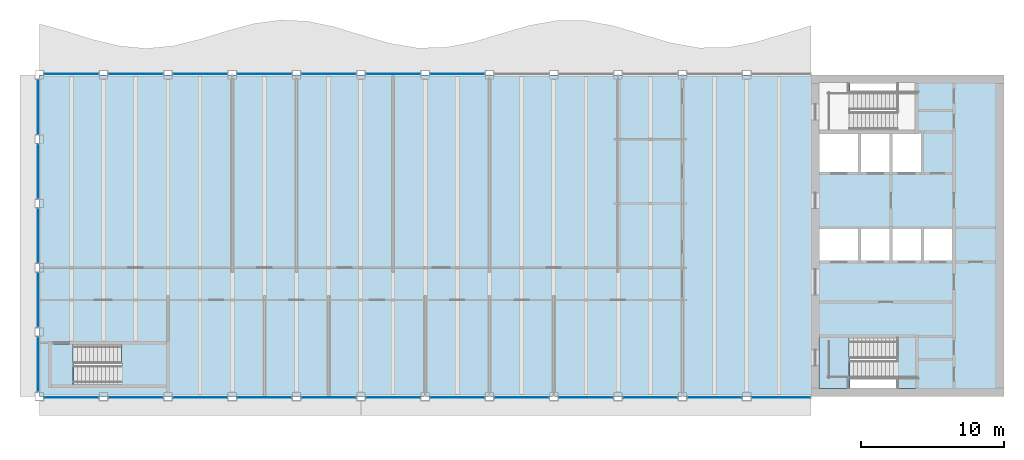
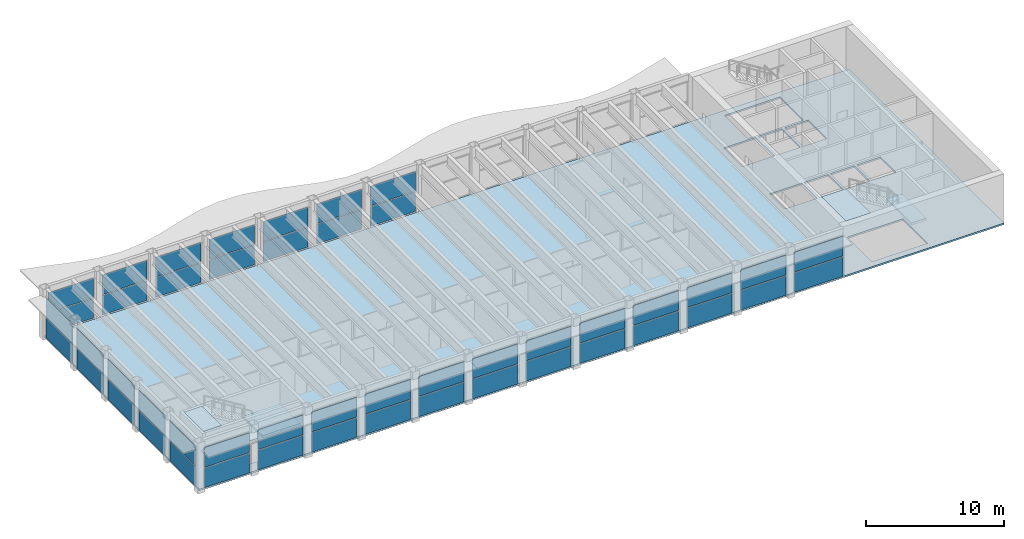
# One storey, part 7 of 14: 48 plates, 5 slabs, 26 elements without a shape of their own.
"""IFC4 building model written with IfcOpenShell, lengths in metres."""

from ifc_helpers import new_model, si_unit, direction, frame, origin, origin_2d, place, context, subcontext, project, spatial, polyline, rectangle, outline, extrude, material, layer, layer_set, type_object, element, aggregate, save


model = new_model("IFC4")

# Units and contexts
model_context = context("Model", 3, precision=1e-05, world=origin(), true_north=direction((0.0, 1.0)))
body_context = subcontext(model_context, "Body", "Model", "MODEL_VIEW")
ifc_project = project(units=[si_unit("LENGTHUNIT", "METRE"), si_unit("AREAUNIT", "SQUARE_METRE"), si_unit("VOLUMEUNIT", "CUBIC_METRE"), si_unit("PLANEANGLEUNIT", "RADIAN"), si_unit("MASSUNIT", "GRAM", prefix="KILO")], contexts=[model_context])

# Site, building, storey
site_placement = place(None, origin())
site = spatial("IfcSite", under=ifc_project, at=site_placement, CompositionType="ELEMENT")
building_placement = place(site_placement, origin())
building = spatial("IfcBuilding", under=site, at=building_placement, Name="Sennacour Bend Tower", CompositionType="ELEMENT")
storey_placement = place(building_placement, frame((0.0, 0.0, 336.5)))
storey = spatial("IfcBuildingStorey", under=building, at=storey_placement, Name="L77", CompositionType="ELEMENT", Elevation=336.5)

# Slab
ifc_material_1 = material(Name="Concrete C30/37", Category="concrete")
ifc_layer_1 = layer(ifc_material_1, 0.14990234375, Name="Concrete C30/37", Category="concrete")
ifc_layer_set_1 = layer_set([ifc_layer_1], Name="Concrete C30/37")
slab_type_1 = type_object("IfcSlabType", Name="Floor slab 150", PredefinedType="FLOOR", material=ifc_layer_set_1)
slab_1_placement = place(storey_placement, frame((0.0, 0.0, -0.14990234375)))
element("IfcSlab", 1, at=slab_1_placement, inside=storey, type_object=slab_type_1, Name="Floor slab L77-01", PredefinedType="FLOOR", context=body_context, shape_type="SweptSolid", body=[
    extrude(outline(polyline([(0.0, 22.5), (22.5, 22.5), (54.0, 22.5), (67.5, 22.5), (67.5, 0.0), (54.0, 0.0), (22.5, 0.0), (0.0, 0.0), (0.0, 22.5)]), holes=[polyline([(8.800048828125, 3.5), (2.429931640625, 3.5), (2.429931640625, 0.949951171875), (8.800048828125, 0.949951171875), (8.800048828125, 3.5)]), polyline([(61.39990234375, 4.125), (56.72998046875, 4.125), (56.72998046875, 0.550048828125), (61.39990234375, 0.550048828125), (61.39990234375, 4.125)]), polyline([(57.300048828125, 11.699951171875), (54.60009765625, 11.699951171875), (54.60009765625, 9.5), (57.300048828125, 9.5), (57.300048828125, 11.699951171875)]), polyline([(59.5, 9.5), (59.5, 11.699951171875), (57.5, 11.699951171875), (57.5, 9.5), (59.5, 9.5)]), polyline([(61.699951171875, 9.5), (61.699951171875, 11.699951171875), (59.699951171875, 11.699951171875), (59.699951171875, 9.5), (61.699951171875, 9.5)]), polyline([(63.89990234375, 11.699951171875), (61.89990234375, 11.699951171875), (61.89990234375, 9.5), (63.89990234375, 9.5), (63.89990234375, 11.699951171875)]), polyline([(57.300048828125, 18.39990234375), (54.60009765625, 18.39990234375), (54.60009765625, 15.699951171875), (57.300048828125, 15.699951171875), (57.300048828125, 18.39990234375)]), polyline([(59.5, 18.39990234375), (57.5, 18.39990234375), (57.5, 15.699951171875), (59.5, 15.699951171875), (59.5, 18.39990234375)]), polyline([(61.699951171875, 15.699951171875), (61.699951171875, 18.39990234375), (59.699951171875, 18.39990234375), (59.699951171875, 15.699951171875), (61.699951171875, 15.699951171875)]), polyline([(61.39990234375, 18.574951171875), (61.39990234375, 21.949951171875), (56.72998046875, 21.949951171875), (56.72998046875, 18.574951171875), (61.39990234375, 18.574951171875)])]), origin(), (0.0, 0.0, 1.0), 0.14990234375),
])

# Curtain wall, plates
ifc_material_2 = material(Name="Bronze anodised aluminium curtain wall with clear glass", Category="aluminium")
curtain_wall_type = type_object("IfcCurtainWallType", Name="CURTAIN WALL EXEC", PredefinedType="NOTDEFINED", material=ifc_material_2)
curtain_wall_1_placement = place(storey_placement, origin())
curtain_wall_1 = element("IfcCurtainWall", 2, at=curtain_wall_1_placement, inside=storey, type_object=curtain_wall_type, Name="Executive floor glass wall L77", PredefinedType="NOTDEFINED")
ifc_material_3 = material(Name="Clear low-emissivity glass", Category="glass")
ifc_layer_2 = layer(ifc_material_3, 0.031982421875, Name="Clear low-emissivity glass", Category="glass")
ifc_layer_set_2 = layer_set([ifc_layer_2], Name="Clear low-emissivity glass")
plate_type = type_object("IfcPlateType", Name="PNL-GLASS-IGU32", PredefinedType="CURTAIN_PANEL", material=ifc_layer_set_2)
plate_1_placement = place(storey_placement, frame((2.25, -0.074951171875, 0.06005859375), z_axis=(0.0, 0.0, 1.0), x_axis=(1.0, 0.0, 0.0)))
plate_1 = element("IfcPlate", 3, at=plate_1_placement, type_object=plate_type, Name="GW3 curtain wall panel 1.1", PredefinedType="CURTAIN_PANEL", context=body_context, shape_type="SweptSolid", body=[
    extrude(rectangle(XDim=3.780029296875, YDim=0.031982421875, at=origin_2d()), origin(), (0.0, 0.0, 1.0), 1.74609375),
])
plate_2_placement = place(storey_placement, frame((2.25, -0.074951171875, 1.865966796875), z_axis=(0.0, 0.0, 1.0), x_axis=(1.0, 0.0, 0.0)))
plate_2 = element("IfcPlate", 4, at=plate_2_placement, type_object=plate_type, Name="GW3 curtain wall panel 1.2", PredefinedType="CURTAIN_PANEL", context=body_context, shape_type="SweptSolid", body=[
    extrude(rectangle(XDim=3.780029296875, YDim=0.031982421875, at=origin_2d()), origin(), (0.0, 0.0, 1.0), 1.74609375),
])
aggregate(curtain_wall_1, [plate_1, plate_2])

curtain_wall_2_placement = place(storey_placement, origin())
curtain_wall_2 = element("IfcCurtainWall", 5, at=curtain_wall_2_placement, inside=storey, type_object=curtain_wall_type, Name="Executive floor glass wall L77", PredefinedType="NOTDEFINED")
plate_3_placement = place(storey_placement, frame((6.75, -0.074951171875, 0.06005859375), z_axis=(0.0, 0.0, 1.0), x_axis=(1.0, 0.0, 0.0)))
plate_3 = element("IfcPlate", 6, at=plate_3_placement, type_object=plate_type, Name="GW3 curtain wall panel 1.1", PredefinedType="CURTAIN_PANEL", context=body_context, shape_type="SweptSolid", body=[
    extrude(rectangle(XDim=3.780029296875, YDim=0.031982421875, at=origin_2d()), origin(), (0.0, 0.0, 1.0), 1.74609375),
])
plate_4_placement = place(storey_placement, frame((6.75, -0.074951171875, 1.865966796875), z_axis=(0.0, 0.0, 1.0), x_axis=(1.0, 0.0, 0.0)))
plate_4 = element("IfcPlate", 7, at=plate_4_placement, type_object=plate_type, Name="GW3 curtain wall panel 1.2", PredefinedType="CURTAIN_PANEL", context=body_context, shape_type="SweptSolid", body=[
    extrude(rectangle(XDim=3.780029296875, YDim=0.031982421875, at=origin_2d()), origin(), (0.0, 0.0, 1.0), 1.74609375),
])
aggregate(curtain_wall_2, [plate_3, plate_4])

curtain_wall_3_placement = place(storey_placement, origin())
curtain_wall_3 = element("IfcCurtainWall", 8, at=curtain_wall_3_placement, inside=storey, type_object=curtain_wall_type, Name="Executive floor glass wall L77", PredefinedType="NOTDEFINED")
plate_5_placement = place(storey_placement, frame((11.25, -0.074951171875, 0.06005859375), z_axis=(0.0, 0.0, 1.0), x_axis=(1.0, 0.0, 0.0)))
plate_5 = element("IfcPlate", 9, at=plate_5_placement, type_object=plate_type, Name="GW3 curtain wall panel 1.1", PredefinedType="CURTAIN_PANEL", context=body_context, shape_type="SweptSolid", body=[
    extrude(rectangle(XDim=3.780029296875, YDim=0.031982421875, at=origin_2d()), origin(), (0.0, 0.0, 1.0), 1.74609375),
])
plate_6_placement = place(storey_placement, frame((11.25, -0.074951171875, 1.865966796875), z_axis=(0.0, 0.0, 1.0), x_axis=(1.0, 0.0, 0.0)))
plate_6 = element("IfcPlate", 10, at=plate_6_placement, type_object=plate_type, Name="GW3 curtain wall panel 1.2", PredefinedType="CURTAIN_PANEL", context=body_context, shape_type="SweptSolid", body=[
    extrude(rectangle(XDim=3.780029296875, YDim=0.031982421875, at=origin_2d()), origin(), (0.0, 0.0, 1.0), 1.74609375),
])
aggregate(curtain_wall_3, [plate_5, plate_6])

curtain_wall_4_placement = place(storey_placement, origin())
curtain_wall_4 = element("IfcCurtainWall", 11, at=curtain_wall_4_placement, inside=storey, type_object=curtain_wall_type, Name="Executive floor glass wall L77", PredefinedType="NOTDEFINED")
plate_7_placement = place(storey_placement, frame((15.75, -0.074951171875, 0.06005859375), z_axis=(0.0, 0.0, 1.0), x_axis=(1.0, 0.0, 0.0)))
plate_7 = element("IfcPlate", 12, at=plate_7_placement, type_object=plate_type, Name="GW3 curtain wall panel 1.1", PredefinedType="CURTAIN_PANEL", context=body_context, shape_type="SweptSolid", body=[
    extrude(rectangle(XDim=3.780029296875, YDim=0.031982421875, at=origin_2d()), origin(), (0.0, 0.0, 1.0), 1.74609375),
])
plate_8_placement = place(storey_placement, frame((15.75, -0.074951171875, 1.865966796875), z_axis=(0.0, 0.0, 1.0), x_axis=(1.0, 0.0, 0.0)))
plate_8 = element("IfcPlate", 13, at=plate_8_placement, type_object=plate_type, Name="GW3 curtain wall panel 1.2", PredefinedType="CURTAIN_PANEL", context=body_context, shape_type="SweptSolid", body=[
    extrude(rectangle(XDim=3.780029296875, YDim=0.031982421875, at=origin_2d()), origin(), (0.0, 0.0, 1.0), 1.74609375),
])
aggregate(curtain_wall_4, [plate_7, plate_8])

curtain_wall_5_placement = place(storey_placement, origin())
curtain_wall_5 = element("IfcCurtainWall", 14, at=curtain_wall_5_placement, inside=storey, type_object=curtain_wall_type, Name="Executive floor glass wall L77", PredefinedType="NOTDEFINED")
plate_9_placement = place(storey_placement, frame((20.25, -0.074951171875, 0.06005859375), z_axis=(0.0, 0.0, 1.0), x_axis=(1.0, 0.0, 0.0)))
plate_9 = element("IfcPlate", 15, at=plate_9_placement, type_object=plate_type, Name="GW3 curtain wall panel 1.1", PredefinedType="CURTAIN_PANEL", context=body_context, shape_type="SweptSolid", body=[
    extrude(rectangle(XDim=3.780029296875, YDim=0.031982421875, at=origin_2d()), origin(), (0.0, 0.0, 1.0), 1.74609375),
])
plate_10_placement = place(storey_placement, frame((20.25, -0.074951171875, 1.865966796875), z_axis=(0.0, 0.0, 1.0), x_axis=(1.0, 0.0, 0.0)))
plate_10 = element("IfcPlate", 16, at=plate_10_placement, type_object=plate_type, Name="GW3 curtain wall panel 1.2", PredefinedType="CURTAIN_PANEL", context=body_context, shape_type="SweptSolid", body=[
    extrude(rectangle(XDim=3.780029296875, YDim=0.031982421875, at=origin_2d()), origin(), (0.0, 0.0, 1.0), 1.74609375),
])
aggregate(curtain_wall_5, [plate_9, plate_10])

curtain_wall_6_placement = place(storey_placement, origin())
curtain_wall_6 = element("IfcCurtainWall", 17, at=curtain_wall_6_placement, inside=storey, type_object=curtain_wall_type, Name="Executive floor glass wall L77", PredefinedType="NOTDEFINED")
plate_11_placement = place(storey_placement, frame((24.75, -0.074951171875, 0.06005859375), z_axis=(0.0, 0.0, 1.0), x_axis=(1.0, 0.0, 0.0)))
plate_11 = element("IfcPlate", 18, at=plate_11_placement, type_object=plate_type, Name="GW3 curtain wall panel 1.1", PredefinedType="CURTAIN_PANEL", context=body_context, shape_type="SweptSolid", body=[
    extrude(rectangle(XDim=3.780029296875, YDim=0.031982421875, at=origin_2d()), origin(), (0.0, 0.0, 1.0), 1.74609375),
])
plate_12_placement = place(storey_placement, frame((24.75, -0.074951171875, 1.865966796875), z_axis=(0.0, 0.0, 1.0), x_axis=(1.0, 0.0, 0.0)))
plate_12 = element("IfcPlate", 19, at=plate_12_placement, type_object=plate_type, Name="GW3 curtain wall panel 1.2", PredefinedType="CURTAIN_PANEL", context=body_context, shape_type="SweptSolid", body=[
    extrude(rectangle(XDim=3.780029296875, YDim=0.031982421875, at=origin_2d()), origin(), (0.0, 0.0, 1.0), 1.74609375),
])
aggregate(curtain_wall_6, [plate_11, plate_12])

curtain_wall_7_placement = place(storey_placement, origin())
curtain_wall_7 = element("IfcCurtainWall", 20, at=curtain_wall_7_placement, inside=storey, type_object=curtain_wall_type, Name="Executive floor glass wall L77", PredefinedType="NOTDEFINED")
plate_13_placement = place(storey_placement, frame((29.25, -0.074951171875, 0.06005859375), z_axis=(0.0, 0.0, 1.0), x_axis=(1.0, 0.0, 0.0)))
plate_13 = element("IfcPlate", 21, at=plate_13_placement, type_object=plate_type, Name="GW3 curtain wall panel 1.1", PredefinedType="CURTAIN_PANEL", context=body_context, shape_type="SweptSolid", body=[
    extrude(rectangle(XDim=3.780029296875, YDim=0.031982421875, at=origin_2d()), origin(), (0.0, 0.0, 1.0), 1.74609375),
])
plate_14_placement = place(storey_placement, frame((29.25, -0.074951171875, 1.865966796875), z_axis=(0.0, 0.0, 1.0), x_axis=(1.0, 0.0, 0.0)))
plate_14 = element("IfcPlate", 22, at=plate_14_placement, type_object=plate_type, Name="GW3 curtain wall panel 1.2", PredefinedType="CURTAIN_PANEL", context=body_context, shape_type="SweptSolid", body=[
    extrude(rectangle(XDim=3.780029296875, YDim=0.031982421875, at=origin_2d()), origin(), (0.0, 0.0, 1.0), 1.74609375),
])
aggregate(curtain_wall_7, [plate_13, plate_14])

curtain_wall_8_placement = place(storey_placement, origin())
curtain_wall_8 = element("IfcCurtainWall", 23, at=curtain_wall_8_placement, inside=storey, type_object=curtain_wall_type, Name="Executive floor glass wall L77", PredefinedType="NOTDEFINED")
plate_15_placement = place(storey_placement, frame((33.75, -0.074951171875, 0.06005859375), z_axis=(0.0, 0.0, 1.0), x_axis=(1.0, 0.0, 0.0)))
plate_15 = element("IfcPlate", 24, at=plate_15_placement, type_object=plate_type, Name="GW3 curtain wall panel 1.1", PredefinedType="CURTAIN_PANEL", context=body_context, shape_type="SweptSolid", body=[
    extrude(rectangle(XDim=3.780029296875, YDim=0.031982421875, at=origin_2d()), origin(), (0.0, 0.0, 1.0), 1.74609375),
])
plate_16_placement = place(storey_placement, frame((33.75, -0.074951171875, 1.865966796875), z_axis=(0.0, 0.0, 1.0), x_axis=(1.0, 0.0, 0.0)))
plate_16 = element("IfcPlate", 25, at=plate_16_placement, type_object=plate_type, Name="GW3 curtain wall panel 1.2", PredefinedType="CURTAIN_PANEL", context=body_context, shape_type="SweptSolid", body=[
    extrude(rectangle(XDim=3.780029296875, YDim=0.031982421875, at=origin_2d()), origin(), (0.0, 0.0, 1.0), 1.74609375),
])
aggregate(curtain_wall_8, [plate_15, plate_16])

curtain_wall_9_placement = place(storey_placement, origin())
curtain_wall_9 = element("IfcCurtainWall", 26, at=curtain_wall_9_placement, inside=storey, type_object=curtain_wall_type, Name="Executive floor glass wall L77", PredefinedType="NOTDEFINED")
plate_17_placement = place(storey_placement, frame((38.25, -0.074951171875, 0.06005859375), z_axis=(0.0, 0.0, 1.0), x_axis=(1.0, 0.0, 0.0)))
plate_17 = element("IfcPlate", 27, at=plate_17_placement, type_object=plate_type, Name="GW3 curtain wall panel 1.1", PredefinedType="CURTAIN_PANEL", context=body_context, shape_type="SweptSolid", body=[
    extrude(rectangle(XDim=3.780029296875, YDim=0.031982421875, at=origin_2d()), origin(), (0.0, 0.0, 1.0), 1.74609375),
])
plate_18_placement = place(storey_placement, frame((38.25, -0.074951171875, 1.865966796875), z_axis=(0.0, 0.0, 1.0), x_axis=(1.0, 0.0, 0.0)))
plate_18 = element("IfcPlate", 28, at=plate_18_placement, type_object=plate_type, Name="GW3 curtain wall panel 1.2", PredefinedType="CURTAIN_PANEL", context=body_context, shape_type="SweptSolid", body=[
    extrude(rectangle(XDim=3.780029296875, YDim=0.031982421875, at=origin_2d()), origin(), (0.0, 0.0, 1.0), 1.74609375),
])
aggregate(curtain_wall_9, [plate_17, plate_18])

curtain_wall_10_placement = place(storey_placement, origin())
curtain_wall_10 = element("IfcCurtainWall", 29, at=curtain_wall_10_placement, inside=storey, type_object=curtain_wall_type, Name="Executive floor glass wall L77", PredefinedType="NOTDEFINED")
plate_19_placement = place(storey_placement, frame((42.75, -0.074951171875, 0.06005859375), z_axis=(0.0, 0.0, 1.0), x_axis=(1.0, 0.0, 0.0)))
plate_19 = element("IfcPlate", 30, at=plate_19_placement, type_object=plate_type, Name="GW3 curtain wall panel 1.1", PredefinedType="CURTAIN_PANEL", context=body_context, shape_type="SweptSolid", body=[
    extrude(rectangle(XDim=3.780029296875, YDim=0.031982421875, at=origin_2d()), origin(), (0.0, 0.0, 1.0), 1.74609375),
])
plate_20_placement = place(storey_placement, frame((42.75, -0.074951171875, 1.865966796875), z_axis=(0.0, 0.0, 1.0), x_axis=(1.0, 0.0, 0.0)))
plate_20 = element("IfcPlate", 31, at=plate_20_placement, type_object=plate_type, Name="GW3 curtain wall panel 1.2", PredefinedType="CURTAIN_PANEL", context=body_context, shape_type="SweptSolid", body=[
    extrude(rectangle(XDim=3.780029296875, YDim=0.031982421875, at=origin_2d()), origin(), (0.0, 0.0, 1.0), 1.74609375),
])
aggregate(curtain_wall_10, [plate_19, plate_20])

curtain_wall_11_placement = place(storey_placement, origin())
curtain_wall_11 = element("IfcCurtainWall", 32, at=curtain_wall_11_placement, inside=storey, type_object=curtain_wall_type, Name="Executive floor glass wall L77", PredefinedType="NOTDEFINED")
plate_21_placement = place(storey_placement, frame((47.25, -0.074951171875, 0.06005859375), z_axis=(0.0, 0.0, 1.0), x_axis=(1.0, 0.0, 0.0)))
plate_21 = element("IfcPlate", 33, at=plate_21_placement, type_object=plate_type, Name="GW3 curtain wall panel 1.1", PredefinedType="CURTAIN_PANEL", context=body_context, shape_type="SweptSolid", body=[
    extrude(rectangle(XDim=3.780029296875, YDim=0.031982421875, at=origin_2d()), origin(), (0.0, 0.0, 1.0), 1.74609375),
])
plate_22_placement = place(storey_placement, frame((47.25, -0.074951171875, 1.865966796875), z_axis=(0.0, 0.0, 1.0), x_axis=(1.0, 0.0, 0.0)))
plate_22 = element("IfcPlate", 34, at=plate_22_placement, type_object=plate_type, Name="GW3 curtain wall panel 1.2", PredefinedType="CURTAIN_PANEL", context=body_context, shape_type="SweptSolid", body=[
    extrude(rectangle(XDim=3.780029296875, YDim=0.031982421875, at=origin_2d()), origin(), (0.0, 0.0, 1.0), 1.74609375),
])
aggregate(curtain_wall_11, [plate_21, plate_22])

curtain_wall_12_placement = place(storey_placement, origin())
curtain_wall_12 = element("IfcCurtainWall", 35, at=curtain_wall_12_placement, inside=storey, type_object=curtain_wall_type, Name="Executive floor glass wall L77", PredefinedType="NOTDEFINED")
plate_23_placement = place(storey_placement, frame((51.89990234375, -0.074951171875, 0.06005859375), z_axis=(0.0, 0.0, 1.0), x_axis=(1.0, 0.0, 0.0)))
plate_23 = element("IfcPlate", 36, at=plate_23_placement, type_object=plate_type, Name="GW3 curtain wall panel 1.1", PredefinedType="CURTAIN_PANEL", context=body_context, shape_type="SweptSolid", body=[
    extrude(rectangle(XDim=4.080078125, YDim=0.031982421875, at=origin_2d()), origin(), (0.0, 0.0, 1.0), 1.74609375),
])
plate_24_placement = place(storey_placement, frame((51.89990234375, -0.074951171875, 1.865966796875), z_axis=(0.0, 0.0, 1.0), x_axis=(1.0, 0.0, 0.0)))
plate_24 = element("IfcPlate", 37, at=plate_24_placement, type_object=plate_type, Name="GW3 curtain wall panel 1.2", PredefinedType="CURTAIN_PANEL", context=body_context, shape_type="SweptSolid", body=[
    extrude(rectangle(XDim=4.080078125, YDim=0.031982421875, at=origin_2d()), origin(), (0.0, 0.0, 1.0), 1.74609375),
])
aggregate(curtain_wall_12, [plate_23, plate_24])

curtain_wall_13_placement = place(storey_placement, origin())
curtain_wall_13 = element("IfcCurtainWall", 38, at=curtain_wall_13_placement, inside=storey, type_object=curtain_wall_type, Name="Executive floor glass wall L77", PredefinedType="NOTDEFINED")
plate_25_placement = place(storey_placement, frame((29.25, 22.574951171875, 0.06005859375), z_axis=(0.0, 0.0, 1.0), x_axis=(-1.0, 0.0, 0.0)))
plate_25 = element("IfcPlate", 39, at=plate_25_placement, type_object=plate_type, Name="GW3 curtain wall panel 1.1", PredefinedType="CURTAIN_PANEL", context=body_context, shape_type="SweptSolid", body=[
    extrude(rectangle(XDim=3.780029296875, YDim=0.031982421875, at=origin_2d()), origin(), (0.0, 0.0, 1.0), 1.74609375),
])
plate_26_placement = place(storey_placement, frame((29.25, 22.574951171875, 1.865966796875), z_axis=(0.0, 0.0, 1.0), x_axis=(-1.0, 0.0, 0.0)))
plate_26 = element("IfcPlate", 40, at=plate_26_placement, type_object=plate_type, Name="GW3 curtain wall panel 1.2", PredefinedType="CURTAIN_PANEL", context=body_context, shape_type="SweptSolid", body=[
    extrude(rectangle(XDim=3.780029296875, YDim=0.031982421875, at=origin_2d()), origin(), (0.0, 0.0, 1.0), 1.74609375),
])
aggregate(curtain_wall_13, [plate_25, plate_26])

curtain_wall_14_placement = place(storey_placement, origin())
curtain_wall_14 = element("IfcCurtainWall", 41, at=curtain_wall_14_placement, inside=storey, type_object=curtain_wall_type, Name="Executive floor glass wall L77", PredefinedType="NOTDEFINED")
plate_27_placement = place(storey_placement, frame((24.75, 22.574951171875, 0.06005859375), z_axis=(0.0, 0.0, 1.0), x_axis=(-1.0, 0.0, 0.0)))
plate_27 = element("IfcPlate", 42, at=plate_27_placement, type_object=plate_type, Name="GW3 curtain wall panel 1.1", PredefinedType="CURTAIN_PANEL", context=body_context, shape_type="SweptSolid", body=[
    extrude(rectangle(XDim=3.780029296875, YDim=0.031982421875, at=origin_2d()), origin(), (0.0, 0.0, 1.0), 1.74609375),
])
plate_28_placement = place(storey_placement, frame((24.75, 22.574951171875, 1.865966796875), z_axis=(0.0, 0.0, 1.0), x_axis=(-1.0, 0.0, 0.0)))
plate_28 = element("IfcPlate", 43, at=plate_28_placement, type_object=plate_type, Name="GW3 curtain wall panel 1.2", PredefinedType="CURTAIN_PANEL", context=body_context, shape_type="SweptSolid", body=[
    extrude(rectangle(XDim=3.780029296875, YDim=0.031982421875, at=origin_2d()), origin(), (0.0, 0.0, 1.0), 1.74609375),
])
aggregate(curtain_wall_14, [plate_27, plate_28])

curtain_wall_15_placement = place(storey_placement, origin())
curtain_wall_15 = element("IfcCurtainWall", 44, at=curtain_wall_15_placement, inside=storey, type_object=curtain_wall_type, Name="Executive floor glass wall L77", PredefinedType="NOTDEFINED")
plate_29_placement = place(storey_placement, frame((20.25, 22.574951171875, 0.06005859375), z_axis=(0.0, 0.0, 1.0), x_axis=(-1.0, 0.0, 0.0)))
plate_29 = element("IfcPlate", 45, at=plate_29_placement, type_object=plate_type, Name="GW3 curtain wall panel 1.1", PredefinedType="CURTAIN_PANEL", context=body_context, shape_type="SweptSolid", body=[
    extrude(rectangle(XDim=3.780029296875, YDim=0.031982421875, at=origin_2d()), origin(), (0.0, 0.0, 1.0), 1.74609375),
])
plate_30_placement = place(storey_placement, frame((20.25, 22.574951171875, 1.865966796875), z_axis=(0.0, 0.0, 1.0), x_axis=(-1.0, 0.0, 0.0)))
plate_30 = element("IfcPlate", 46, at=plate_30_placement, type_object=plate_type, Name="GW3 curtain wall panel 1.2", PredefinedType="CURTAIN_PANEL", context=body_context, shape_type="SweptSolid", body=[
    extrude(rectangle(XDim=3.780029296875, YDim=0.031982421875, at=origin_2d()), origin(), (0.0, 0.0, 1.0), 1.74609375),
])
aggregate(curtain_wall_15, [plate_29, plate_30])

curtain_wall_16_placement = place(storey_placement, origin())
curtain_wall_16 = element("IfcCurtainWall", 47, at=curtain_wall_16_placement, inside=storey, type_object=curtain_wall_type, Name="Executive floor glass wall L77", PredefinedType="NOTDEFINED")
plate_31_placement = place(storey_placement, frame((15.75, 22.574951171875, 0.06005859375), z_axis=(0.0, 0.0, 1.0), x_axis=(-1.0, 0.0, 0.0)))
plate_31 = element("IfcPlate", 48, at=plate_31_placement, type_object=plate_type, Name="GW3 curtain wall panel 1.1", PredefinedType="CURTAIN_PANEL", context=body_context, shape_type="SweptSolid", body=[
    extrude(rectangle(XDim=3.780029296875, YDim=0.031982421875, at=origin_2d()), origin(), (0.0, 0.0, 1.0), 1.74609375),
])
plate_32_placement = place(storey_placement, frame((15.75, 22.574951171875, 1.865966796875), z_axis=(0.0, 0.0, 1.0), x_axis=(-1.0, 0.0, 0.0)))
plate_32 = element("IfcPlate", 49, at=plate_32_placement, type_object=plate_type, Name="GW3 curtain wall panel 1.2", PredefinedType="CURTAIN_PANEL", context=body_context, shape_type="SweptSolid", body=[
    extrude(rectangle(XDim=3.780029296875, YDim=0.031982421875, at=origin_2d()), origin(), (0.0, 0.0, 1.0), 1.74609375),
])
aggregate(curtain_wall_16, [plate_31, plate_32])

curtain_wall_17_placement = place(storey_placement, origin())
curtain_wall_17 = element("IfcCurtainWall", 50, at=curtain_wall_17_placement, inside=storey, type_object=curtain_wall_type, Name="Executive floor glass wall L77", PredefinedType="NOTDEFINED")
plate_33_placement = place(storey_placement, frame((11.25, 22.574951171875, 0.06005859375), z_axis=(0.0, 0.0, 1.0), x_axis=(-1.0, 0.0, 0.0)))
plate_33 = element("IfcPlate", 51, at=plate_33_placement, type_object=plate_type, Name="GW3 curtain wall panel 1.1", PredefinedType="CURTAIN_PANEL", context=body_context, shape_type="SweptSolid", body=[
    extrude(rectangle(XDim=3.780029296875, YDim=0.031982421875, at=origin_2d()), origin(), (0.0, 0.0, 1.0), 1.74609375),
])
plate_34_placement = place(storey_placement, frame((11.25, 22.574951171875, 1.865966796875), z_axis=(0.0, 0.0, 1.0), x_axis=(-1.0, 0.0, 0.0)))
plate_34 = element("IfcPlate", 52, at=plate_34_placement, type_object=plate_type, Name="GW3 curtain wall panel 1.2", PredefinedType="CURTAIN_PANEL", context=body_context, shape_type="SweptSolid", body=[
    extrude(rectangle(XDim=3.780029296875, YDim=0.031982421875, at=origin_2d()), origin(), (0.0, 0.0, 1.0), 1.74609375),
])
aggregate(curtain_wall_17, [plate_33, plate_34])

curtain_wall_18_placement = place(storey_placement, origin())
curtain_wall_18 = element("IfcCurtainWall", 53, at=curtain_wall_18_placement, inside=storey, type_object=curtain_wall_type, Name="Executive floor glass wall L77", PredefinedType="NOTDEFINED")
plate_35_placement = place(storey_placement, frame((6.75, 22.574951171875, 0.06005859375), z_axis=(0.0, 0.0, 1.0), x_axis=(-1.0, 0.0, 0.0)))
plate_35 = element("IfcPlate", 54, at=plate_35_placement, type_object=plate_type, Name="GW3 curtain wall panel 1.1", PredefinedType="CURTAIN_PANEL", context=body_context, shape_type="SweptSolid", body=[
    extrude(rectangle(XDim=3.780029296875, YDim=0.031982421875, at=origin_2d()), origin(), (0.0, 0.0, 1.0), 1.74609375),
])
plate_36_placement = place(storey_placement, frame((6.75, 22.574951171875, 1.865966796875), z_axis=(0.0, 0.0, 1.0), x_axis=(-1.0, 0.0, 0.0)))
plate_36 = element("IfcPlate", 55, at=plate_36_placement, type_object=plate_type, Name="GW3 curtain wall panel 1.2", PredefinedType="CURTAIN_PANEL", context=body_context, shape_type="SweptSolid", body=[
    extrude(rectangle(XDim=3.780029296875, YDim=0.031982421875, at=origin_2d()), origin(), (0.0, 0.0, 1.0), 1.74609375),
])
aggregate(curtain_wall_18, [plate_35, plate_36])

curtain_wall_19_placement = place(storey_placement, origin())
curtain_wall_19 = element("IfcCurtainWall", 56, at=curtain_wall_19_placement, inside=storey, type_object=curtain_wall_type, Name="Executive floor glass wall L77", PredefinedType="NOTDEFINED")
plate_37_placement = place(storey_placement, frame((2.25, 22.574951171875, 0.06005859375), z_axis=(0.0, 0.0, 1.0), x_axis=(-1.0, 0.0, 0.0)))
plate_37 = element("IfcPlate", 57, at=plate_37_placement, type_object=plate_type, Name="GW3 curtain wall panel 1.1", PredefinedType="CURTAIN_PANEL", context=body_context, shape_type="SweptSolid", body=[
    extrude(rectangle(XDim=3.780029296875, YDim=0.031982421875, at=origin_2d()), origin(), (0.0, 0.0, 1.0), 1.74609375),
])
plate_38_placement = place(storey_placement, frame((2.25, 22.574951171875, 1.865966796875), z_axis=(0.0, 0.0, 1.0), x_axis=(-1.0, 0.0, 0.0)))
plate_38 = element("IfcPlate", 58, at=plate_38_placement, type_object=plate_type, Name="GW3 curtain wall panel 1.2", PredefinedType="CURTAIN_PANEL", context=body_context, shape_type="SweptSolid", body=[
    extrude(rectangle(XDim=3.780029296875, YDim=0.031982421875, at=origin_2d()), origin(), (0.0, 0.0, 1.0), 1.74609375),
])
aggregate(curtain_wall_19, [plate_37, plate_38])

curtain_wall_20_placement = place(storey_placement, origin())
curtain_wall_20 = element("IfcCurtainWall", 59, at=curtain_wall_20_placement, inside=storey, type_object=curtain_wall_type, Name="Executive floor glass wall L77", PredefinedType="NOTDEFINED")
plate_39_placement = place(storey_placement, frame((-0.074951171875, 20.25, 0.06005859375), z_axis=(0.0, 0.0, 1.0), x_axis=(0.0, -1.0, 0.0)))
plate_39 = element("IfcPlate", 60, at=plate_39_placement, type_object=plate_type, Name="GW3 curtain wall panel 1.1", PredefinedType="CURTAIN_PANEL", context=body_context, shape_type="SweptSolid", body=[
    extrude(rectangle(XDim=3.780029296875, YDim=0.031982421875, at=origin_2d()), origin(), (0.0, 0.0, 1.0), 1.74609375),
])
plate_40_placement = place(storey_placement, frame((-0.074951171875, 20.25, 1.865966796875), z_axis=(0.0, 0.0, 1.0), x_axis=(0.0, -1.0, 0.0)))
plate_40 = element("IfcPlate", 61, at=plate_40_placement, type_object=plate_type, Name="GW3 curtain wall panel 1.2", PredefinedType="CURTAIN_PANEL", context=body_context, shape_type="SweptSolid", body=[
    extrude(rectangle(XDim=3.780029296875, YDim=0.031982421875, at=origin_2d()), origin(), (0.0, 0.0, 1.0), 1.74609375),
])
aggregate(curtain_wall_20, [plate_39, plate_40])

curtain_wall_21_placement = place(storey_placement, origin())
curtain_wall_21 = element("IfcCurtainWall", 62, at=curtain_wall_21_placement, inside=storey, type_object=curtain_wall_type, Name="Executive floor glass wall L77", PredefinedType="NOTDEFINED")
plate_41_placement = place(storey_placement, frame((-0.074951171875, 15.75, 0.06005859375), z_axis=(0.0, 0.0, 1.0), x_axis=(0.0, -1.0, 0.0)))
plate_41 = element("IfcPlate", 63, at=plate_41_placement, type_object=plate_type, Name="GW3 curtain wall panel 1.1", PredefinedType="CURTAIN_PANEL", context=body_context, shape_type="SweptSolid", body=[
    extrude(rectangle(XDim=3.780029296875, YDim=0.031982421875, at=origin_2d()), origin(), (0.0, 0.0, 1.0), 1.74609375),
])
plate_42_placement = place(storey_placement, frame((-0.074951171875, 15.75, 1.865966796875), z_axis=(0.0, 0.0, 1.0), x_axis=(0.0, -1.0, 0.0)))
plate_42 = element("IfcPlate", 64, at=plate_42_placement, type_object=plate_type, Name="GW3 curtain wall panel 1.2", PredefinedType="CURTAIN_PANEL", context=body_context, shape_type="SweptSolid", body=[
    extrude(rectangle(XDim=3.780029296875, YDim=0.031982421875, at=origin_2d()), origin(), (0.0, 0.0, 1.0), 1.74609375),
])
aggregate(curtain_wall_21, [plate_41, plate_42])

curtain_wall_22_placement = place(storey_placement, origin())
curtain_wall_22 = element("IfcCurtainWall", 65, at=curtain_wall_22_placement, inside=storey, type_object=curtain_wall_type, Name="Executive floor glass wall L77", PredefinedType="NOTDEFINED")
plate_43_placement = place(storey_placement, frame((-0.074951171875, 11.25, 0.06005859375), z_axis=(0.0, 0.0, 1.0), x_axis=(0.0, -1.0, 0.0)))
plate_43 = element("IfcPlate", 66, at=plate_43_placement, type_object=plate_type, Name="GW3 curtain wall panel 1.1", PredefinedType="CURTAIN_PANEL", context=body_context, shape_type="SweptSolid", body=[
    extrude(rectangle(XDim=3.780029296875, YDim=0.031982421875, at=origin_2d()), origin(), (0.0, 0.0, 1.0), 1.74609375),
])
plate_44_placement = place(storey_placement, frame((-0.074951171875, 11.25, 1.865966796875), z_axis=(0.0, 0.0, 1.0), x_axis=(0.0, -1.0, 0.0)))
plate_44 = element("IfcPlate", 67, at=plate_44_placement, type_object=plate_type, Name="GW3 curtain wall panel 1.2", PredefinedType="CURTAIN_PANEL", context=body_context, shape_type="SweptSolid", body=[
    extrude(rectangle(XDim=3.780029296875, YDim=0.031982421875, at=origin_2d()), origin(), (0.0, 0.0, 1.0), 1.74609375),
])
aggregate(curtain_wall_22, [plate_43, plate_44])

curtain_wall_23_placement = place(storey_placement, origin())
curtain_wall_23 = element("IfcCurtainWall", 68, at=curtain_wall_23_placement, inside=storey, type_object=curtain_wall_type, Name="Executive floor glass wall L77", PredefinedType="NOTDEFINED")
plate_45_placement = place(storey_placement, frame((-0.074951171875, 6.75, 0.06005859375), z_axis=(0.0, 0.0, 1.0), x_axis=(0.0, -1.0, 0.0)))
plate_45 = element("IfcPlate", 69, at=plate_45_placement, type_object=plate_type, Name="GW3 curtain wall panel 1.1", PredefinedType="CURTAIN_PANEL", context=body_context, shape_type="SweptSolid", body=[
    extrude(rectangle(XDim=3.780029296875, YDim=0.031982421875, at=origin_2d()), origin(), (0.0, 0.0, 1.0), 1.74609375),
])
plate_46_placement = place(storey_placement, frame((-0.074951171875, 6.75, 1.865966796875), z_axis=(0.0, 0.0, 1.0), x_axis=(0.0, -1.0, 0.0)))
plate_46 = element("IfcPlate", 70, at=plate_46_placement, type_object=plate_type, Name="GW3 curtain wall panel 1.2", PredefinedType="CURTAIN_PANEL", context=body_context, shape_type="SweptSolid", body=[
    extrude(rectangle(XDim=3.780029296875, YDim=0.031982421875, at=origin_2d()), origin(), (0.0, 0.0, 1.0), 1.74609375),
])
aggregate(curtain_wall_23, [plate_45, plate_46])

curtain_wall_24_placement = place(storey_placement, origin())
curtain_wall_24 = element("IfcCurtainWall", 71, at=curtain_wall_24_placement, inside=storey, type_object=curtain_wall_type, Name="Executive floor glass wall L77", PredefinedType="NOTDEFINED")
plate_47_placement = place(storey_placement, frame((-0.074951171875, 2.25, 0.06005859375), z_axis=(0.0, 0.0, 1.0), x_axis=(0.0, -1.0, 0.0)))
plate_47 = element("IfcPlate", 72, at=plate_47_placement, type_object=plate_type, Name="GW3 curtain wall panel 1.1", PredefinedType="CURTAIN_PANEL", context=body_context, shape_type="SweptSolid", body=[
    extrude(rectangle(XDim=3.780029296875, YDim=0.031982421875, at=origin_2d()), origin(), (0.0, 0.0, 1.0), 1.74609375),
])
plate_48_placement = place(storey_placement, frame((-0.074951171875, 2.25, 1.865966796875), z_axis=(0.0, 0.0, 1.0), x_axis=(0.0, -1.0, 0.0)))
plate_48 = element("IfcPlate", 73, at=plate_48_placement, type_object=plate_type, Name="GW3 curtain wall panel 1.2", PredefinedType="CURTAIN_PANEL", context=body_context, shape_type="SweptSolid", body=[
    extrude(rectangle(XDim=3.780029296875, YDim=0.031982421875, at=origin_2d()), origin(), (0.0, 0.0, 1.0), 1.74609375),
])
aggregate(curtain_wall_24, [plate_47, plate_48])

# Slabs
ifc_material_4 = material(Name="Concrete C40/50", Category="concrete")
ifc_layer_3 = layer(ifc_material_4, 0.034912109375, Name="Concrete C40/50", Category="concrete")
ifc_layer_set_3 = layer_set([ifc_layer_3], Name="Concrete C40/50")
slab_type_2 = type_object("IfcSlabType", Name="Stair arrival nib 35", PredefinedType="FLOOR", material=ifc_layer_set_3)
slab_2_placement = place(storey_placement, frame((0.0, 0.0, 4.315185546875)))
element("IfcSlab", 74, at=slab_2_placement, inside=storey, type_object=slab_type_2, Name="L77 SA1 stair arrival nib", PredefinedType="FLOOR", context=body_context, shape_type="SweptSolid", body=[
    extrude(outline(polyline([(56.64208984375, 4.125), (54.550048828125, 4.125), (54.550048828125, 0.550048828125), (56.64208984375, 0.550048828125), (56.64208984375, 4.125)])), origin(), (0.0, 0.0, 1.0), 0.034912109375),
])
slab_3_placement = place(storey_placement, frame((0.0, 0.0, 4.315185546875)))
element("IfcSlab", 75, at=slab_3_placement, inside=storey, type_object=slab_type_2, Name="L77 SK1 stair arrival nib", PredefinedType="FLOOR", context=body_context, shape_type="SweptSolid", body=[
    extrude(outline(polyline([(2.342041015625, 3.675048828125), (0.800048828125, 3.675048828125), (0.800048828125, 0.800048828125), (2.342041015625, 0.800048828125), (2.342041015625, 3.675048828125)])), origin(), (0.0, 0.0, 1.0), 0.034912109375),
])

# Stair, slab
stair_type = type_object("IfcStairType", Name="ST-DOGLEG", PredefinedType="HALF_TURN_STAIR", material=ifc_material_4)
stair_1_placement = place(storey_placement, origin())
stair_1 = element("IfcStair", 76, at=stair_1_placement, inside=storey, type_object=stair_type, Name="L77 Exit stair A1", PredefinedType="HALF_TURN_STAIR")
ifc_layer_4 = layer(ifc_material_4, 0.199951171875, Name="Concrete C40/50", Category="concrete")
ifc_layer_set_4 = layer_set([ifc_layer_4], Name="Concrete C40/50")
slab_type_3 = type_object("IfcSlabType", Name="Stair landing 200", PredefinedType="LANDING", material=ifc_layer_set_4)
slab_4_placement = place(storey_placement, frame((0.0, 0.0, 2.050048828125)))
slab_4 = element("IfcSlab", 77, at=slab_4_placement, type_object=slab_type_3, Name="SA1 landing 1", PredefinedType="LANDING", context=body_context, shape_type="SweptSolid", body=[
    extrude(outline(polyline([(60.06005859375, 0.550048828125), (61.324951171875, 0.550048828125), (61.324951171875, 4.125), (60.06005859375, 4.125), (60.06005859375, 0.550048828125)])), origin(), (0.0, 0.0, 1.0), 0.199951171875),
])
aggregate(stair_1, [slab_4])

stair_2_placement = place(storey_placement, origin())
stair_2 = element("IfcStair", 78, at=stair_2_placement, inside=storey, type_object=stair_type, Name="L77 Exit stair K1", PredefinedType="HALF_TURN_STAIR")
slab_5_placement = place(storey_placement, frame((0.0, 0.0, 2.050048828125)))
slab_5 = element("IfcSlab", 79, at=slab_5_placement, type_object=slab_type_3, Name="SK1 landing 1", PredefinedType="LANDING", context=body_context, shape_type="SweptSolid", body=[
    extrude(outline(polyline([(5.760009765625, 0.800048828125), (8.925048828125, 0.800048828125), (8.925048828125, 3.675048828125), (5.760009765625, 3.675048828125), (5.760009765625, 0.800048828125)])), origin(), (0.0, 0.0, 1.0), 0.199951171875),
])
aggregate(stair_2, [slab_5])

save(model, "model.ifc")
